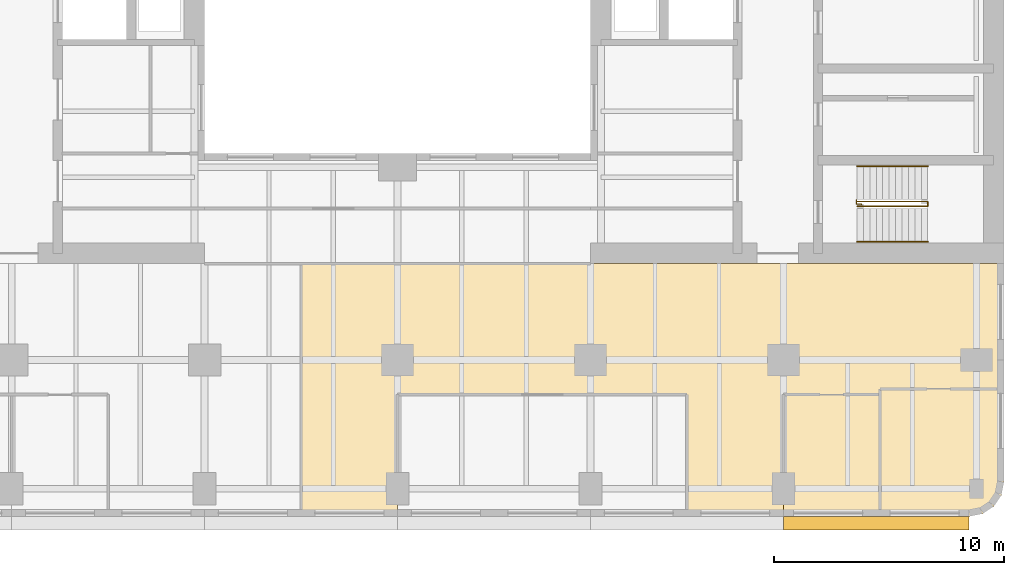
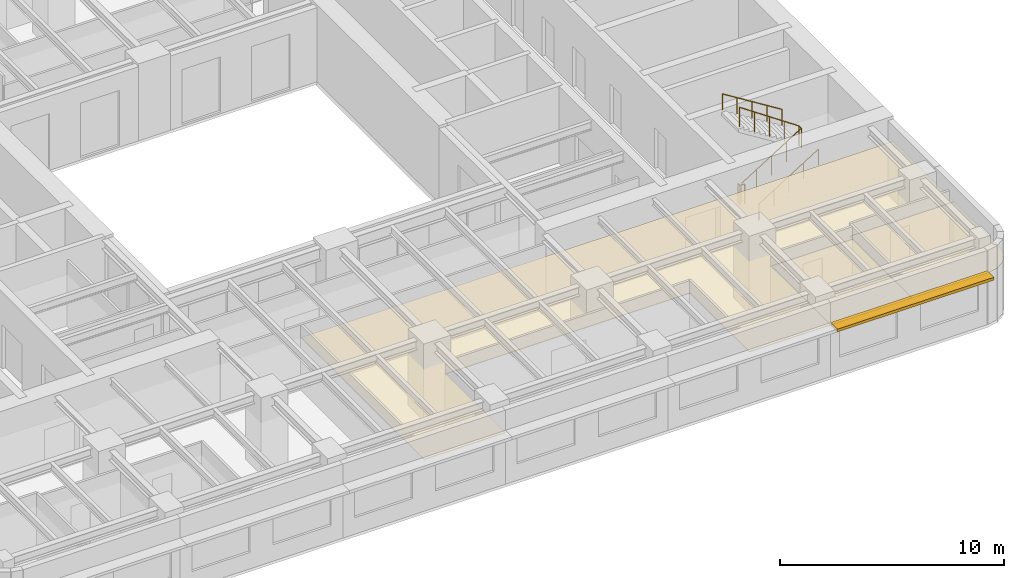
# One storey, part 10 of 11: 4 railings, 3 coverings, 1 shading device.
"""IFC4 building model written with IfcOpenShell, lengths in metres."""

from ifc_helpers import new_model, si_unit, direction, frame, origin, origin_2d, place, context, subcontext, project, spatial, polyline, rectangle, circle, outline, extrude, material, layer, layer_set, type_object, element, save


model = new_model("IFC4")

# Units and contexts
model_context = context("Model", 3, precision=1e-05, world=origin(), true_north=direction((0.0, 1.0)))
body_context = subcontext(model_context, "Body", "Model", "MODEL_VIEW")
ifc_project = project(units=[si_unit("LENGTHUNIT", "METRE"), si_unit("AREAUNIT", "SQUARE_METRE"), si_unit("VOLUMEUNIT", "CUBIC_METRE"), si_unit("PLANEANGLEUNIT", "RADIAN"), si_unit("MASSUNIT", "GRAM", prefix="KILO")], contexts=[model_context])

# Site, building, storey
site_placement = place(None, origin())
site = spatial("IfcSite", under=ifc_project, at=site_placement, CompositionType="ELEMENT")
building_placement = place(site_placement, origin())
building = spatial("IfcBuilding", under=site, at=building_placement, Name="Claustro Exchange Tower", CompositionType="ELEMENT")
storey_placement = place(building_placement, frame((0.0, 0.0, 147.0)))
storey = spatial("IfcBuildingStorey", under=building, at=storey_placement, Name="L33", CompositionType="ELEMENT", Elevation=147.0)

# Coverings
ifc_material_1 = material(Name="Gypsum board ceiling", Category="gypsum board")
ifc_layer_1 = layer(ifc_material_1, 0.02490234375)
ifc_layer_set_1 = layer_set([ifc_layer_1], Name="Gypsum board ceiling")
covering_type = type_object("IfcCoveringType", Name="CL2 plasterboard ceiling", PredefinedType="CEILING", material=ifc_layer_set_1)
covering_1_placement = place(storey_placement, frame((0.0, 0.0, 2.800048828125)))
element("IfcCovering", 1, at=covering_1_placement, inside=storey, type_object=covering_type, Name="Ceiling CL2 L33-04", PredefinedType="CEILING", context=body_context, shape_type="SweptSolid", body=[
    extrude(outline(polyline([(42.0, 1.60009765625), (46.199951171875, 1.60009765625), (46.199951171875, 6.89990234375), (42.0, 6.89990234375), (42.0, 1.60009765625)])), origin(), (0.0, 0.0, 1.0), 0.02490234375),
])
covering_2_placement = place(storey_placement, frame((0.0, 0.0, 2.800048828125)))
element("IfcCovering", 2, at=covering_2_placement, inside=storey, type_object=covering_type, Name="Ceiling CL2 L33-06", PredefinedType="CEILING", context=body_context, shape_type="SweptSolid", body=[
    extrude(outline(polyline([(51.60009765625, 3.10009765625), (51.60009765625, 7.14990234375), (46.199951171875, 7.14990234375), (46.199951171875, 1.60009765625), (50.10009765625, 1.60009765625), (50.674072265625, 1.714111328125), (51.16064453125, 2.039306640625), (51.48583984375, 2.52587890625), (51.60009765625, 3.10009765625)])), origin(), (0.0, 0.0, 1.0), 0.02490234375),
])
covering_3_placement = place(storey_placement, frame((0.0, 0.0, 2.800048828125)))
element("IfcCovering", 3, at=covering_3_placement, inside=storey, type_object=covering_type, Name="Ceiling CL2 L33-08", PredefinedType="CEILING", context=body_context, shape_type="SweptSolid", body=[
    extrude(outline(polyline([(51.60009765625, 12.60009765625), (39.800048828125, 12.60009765625), (21.0, 12.60009765625), (21.0, 1.60009765625), (25.199951171875, 1.60009765625), (25.199951171875, 6.89990234375), (37.800048828125, 6.89990234375), (37.800048828125, 1.60009765625), (42.0, 1.60009765625), (42.0, 6.89990234375), (46.199951171875, 6.89990234375), (46.199951171875, 7.14990234375), (51.60009765625, 7.14990234375), (51.60009765625, 12.60009765625)])), origin(), (0.0, 0.0, 1.0), 0.02490234375),
])

# Railings
ifc_material_2 = material(Name="Steel balustrade, painted", Category="steel")
railing_type_1 = type_object("IfcRailingType", Name="GR2 1100 steel stair guard", PredefinedType="GUARDRAIL", material=ifc_material_2)
railing_1_placement = place(storey_placement, frame((45.199951171875, 15.10009765625, 0.175048828125)))
element("IfcRailing", 4, at=railing_1_placement, inside=storey, type_object=railing_type_1, Name="Stair well guard GR2 stair STEA L33", PredefinedType="GUARDRAIL", context=body_context, shape_type="SweptSolid", body=[
    extrude(circle(Radius=0.02392578125, at=origin_2d()), frame((0.0, 0.0, 1.076171875), z_axis=(0.847998304005, 0.0, 0.529998940003), x_axis=(0.0, 1.0, 0.0)), (0.0, 0.0, 1.0), 3.632080078125),
    extrude(circle(Radius=0.02392578125, at=origin_2d()), frame((3.080078125, 0.0, 3.0009765625), z_axis=(0.0, 1.0, 0.0), x_axis=(-1.0, 0.0, 0.0)), (0.0, 0.0, 1.0), 0.199951171875),
    extrude(circle(Radius=0.02392578125, at=origin_2d()), frame((3.080078125, 0.199951171875, 3.0009765625), z_axis=(-0.826252282691, 0.0, 0.563300244406), x_axis=(0.0, -1.0, 0.0)), (0.0, 0.0, 1.0), 3.727783203125),
    extrude(circle(Radius=0.02099609375, at=origin_2d()), origin(), (0.0, 0.0, 1.0), 1.052001953125),
    extrude(circle(Radius=0.02099609375, at=origin_2d()), frame((0.77001953125, 0.0, 0.481201171875)), (0.0, 0.0, 1.0), 1.052001953125),
    extrude(circle(Radius=0.02099609375, at=origin_2d()), frame((1.5400390625, 0.0, 0.96240234375)), (0.0, 0.0, 1.0), 1.052001953125),
    extrude(circle(Radius=0.02099609375, at=origin_2d()), frame((2.31005859375, 0.0, 1.44384765625)), (0.0, 0.0, 1.0), 1.052001953125),
    extrude(circle(Radius=0.02099609375, at=origin_2d()), frame((3.080078125, 0.0, 1.925048828125)), (0.0, 0.0, 1.0), 1.052001953125),
    extrude(circle(Radius=0.02099609375, at=origin_2d()), frame((3.080078125, 0.199951171875, 1.925048828125)), (0.0, 0.0, 1.0), 1.052001953125),
    extrude(circle(Radius=0.02099609375, at=origin_2d()), frame((2.31005859375, 0.199951171875, 2.449951171875)), (0.0, 0.0, 1.0), 1.052001953125),
    extrude(circle(Radius=0.02099609375, at=origin_2d()), frame((1.5400390625, 0.199951171875, 2.97509765625)), (0.0, 0.0, 1.0), 1.052001953125),
    extrude(circle(Radius=0.02099609375, at=origin_2d()), frame((0.77001953125, 0.199951171875, 3.5)), (0.0, 0.0, 1.0), 1.052001953125),
    extrude(circle(Radius=0.02099609375, at=origin_2d()), frame((0.0, 0.199951171875, 4.02490234375)), (0.0, 0.0, 1.0), 1.052001953125),
])
railing_2_placement = place(storey_placement, frame((45.39990234375, 15.169921875, 0.0)))
element("IfcRailing", 5, at=railing_2_placement, inside=storey, type_object=railing_type_1, Name="Stair guard GR2 STEA L33", PredefinedType="GUARDRAIL", context=body_context, shape_type="SweptSolid", body=[
    extrude(circle(Radius=0.02392578125, at=origin_2d()), frame((0.0, 0.0, 1.076171875), z_axis=(0.0, 1.0, 0.0), x_axis=(-1.0, 0.0, 0.0)), (0.0, 0.0, 1.0), 0.030029296875),
    extrude(circle(Radius=0.02392578125, at=origin_2d()), frame((0.0, 0.030029296875, 1.076171875), z_axis=(-1.0, 0.0, 0.0), x_axis=(0.0, -1.0, 0.0)), (0.0, 0.0, 1.0), 0.224853515625),
    extrude(circle(Radius=0.02392578125, at=origin_2d()), frame((-0.224853515625, 0.030029296875, 1.076171875), z_axis=(0.0, 1.0, 0.0), x_axis=(-1.0, 0.0, 0.0)), (0.0, 0.0, 1.0), 0.179931640625),
    extrude(circle(Radius=0.02099609375, at=origin_2d()), origin(), (0.0, 0.0, 1.0), 1.052001953125),
    extrude(circle(Radius=0.02099609375, at=origin_2d()), frame((0.0, 0.030029296875, 0.0)), (0.0, 0.0, 1.0), 1.052001953125),
    extrude(circle(Radius=0.02099609375, at=origin_2d()), frame((-0.224853515625, 0.030029296875, 0.0)), (0.0, 0.0, 1.0), 1.052001953125),
    extrude(circle(Radius=0.02099609375, at=origin_2d()), frame((-0.224853515625, 0.2099609375, 0.0)), (0.0, 0.0, 1.0), 1.052001953125),
])
ifc_material_3 = material(Name="Stainless steel tube", Category="steel")
railing_type_2 = type_object("IfcRailingType", Name="HR1 900 stair handrail", PredefinedType="HANDRAIL", material=ifc_material_3)
railing_3_placement = place(storey_placement, frame((45.199951171875, 13.56005859375, 0.175048828125)))
element("IfcRailing", 6, at=railing_3_placement, inside=storey, type_object=railing_type_2, Name="Handrail HR1 stair STEA L33", PredefinedType="HANDRAIL", context=body_context, shape_type="SweptSolid", body=[
    extrude(circle(Radius=0.02392578125, at=origin_2d()), frame((0.0, 0.0, 0.8759765625), z_axis=(0.847998304005, 0.0, 0.529998940003), x_axis=(0.0, 1.0, 0.0)), (0.0, 0.0, 1.0), 3.632080078125),
    extrude(circle(Radius=0.02099609375, at=origin_2d()), origin(), (0.0, 0.0, 1.0), 0.851806640625),
    extrude(circle(Radius=0.02099609375, at=origin_2d()), frame((0.77001953125, 0.0, 0.481201171875)), (0.0, 0.0, 1.0), 0.851806640625),
    extrude(circle(Radius=0.02099609375, at=origin_2d()), frame((1.5400390625, 0.0, 0.96240234375)), (0.0, 0.0, 1.0), 0.851806640625),
    extrude(circle(Radius=0.02099609375, at=origin_2d()), frame((2.31005859375, 0.0, 1.44384765625)), (0.0, 0.0, 1.0), 0.851806640625),
    extrude(circle(Radius=0.02099609375, at=origin_2d()), frame((3.080078125, 0.0, 1.925048828125)), (0.0, 0.0, 1.0), 0.851806640625),
])
railing_4_placement = place(storey_placement, frame((48.280029296875, 16.840087890625, 2.27490234375)))
element("IfcRailing", 7, at=railing_4_placement, inside=storey, type_object=railing_type_2, Name="Handrail HR1 stair STEA L33", PredefinedType="HANDRAIL", context=body_context, shape_type="SweptSolid", body=[
    extrude(circle(Radius=0.02392578125, at=origin_2d()), frame((0.0, 0.0, 0.8759765625), z_axis=(-0.847998304005, 0.0, 0.529998940003), x_axis=(0.0, -1.0, 0.0)), (0.0, 0.0, 1.0), 3.632080078125),
    extrude(circle(Radius=0.02099609375, at=origin_2d()), origin(), (0.0, 0.0, 1.0), 0.851806640625),
    extrude(circle(Radius=0.02099609375, at=origin_2d()), frame((-0.77001953125, 0.0, 0.481201171875)), (0.0, 0.0, 1.0), 0.851806640625),
    extrude(circle(Radius=0.02099609375, at=origin_2d()), frame((-1.5400390625, 0.0, 0.96240234375)), (0.0, 0.0, 1.0), 0.851806640625),
    extrude(circle(Radius=0.02099609375, at=origin_2d()), frame((-2.31005859375, 0.0, 1.44384765625)), (0.0, 0.0, 1.0), 0.851806640625),
    extrude(circle(Radius=0.02099609375, at=origin_2d()), frame((-3.080078125, 0.0, 1.925048828125)), (0.0, 0.0, 1.0), 0.851806640625),
])

# Shading device
ifc_material_4 = material(Name="Concrete HA-40 (C40/50), precast, white cement, acid-etched", Category="concrete")
ifc_layer_2 = layer(ifc_material_4, 0.14990234375)
ifc_layer_set_2 = layer_set([ifc_layer_2], Name="Concrete HA-40 (C40/50), precast, white cement, acid-etched")
shading_device_type = type_object("IfcShadingDeviceType", Name="SS1 600 precast concrete SUNSHADE", PredefinedType="SHUTTER", material=ifc_layer_set_2)
shading_device_placement = place(storey_placement, frame((46.04248046875, 1.300048828125, 2.800048828125), z_axis=(0.0, 0.0, 1.0), x_axis=(-1.0, 0.0, 0.0)))
element("IfcShadingDevice", 8, at=shading_device_placement, inside=storey, type_object=shading_device_type, Name="Precast SUNSHADE SS1 L33", PredefinedType="SHUTTER", context=body_context, shape_type="SweptSolid", body=[
    extrude(rectangle(XDim=8.085205078125, YDim=0.60009765625, at=origin_2d()), origin(), (0.0, 0.0, 1.0), 0.14990234375),
])

save(model, "model.ifc")
